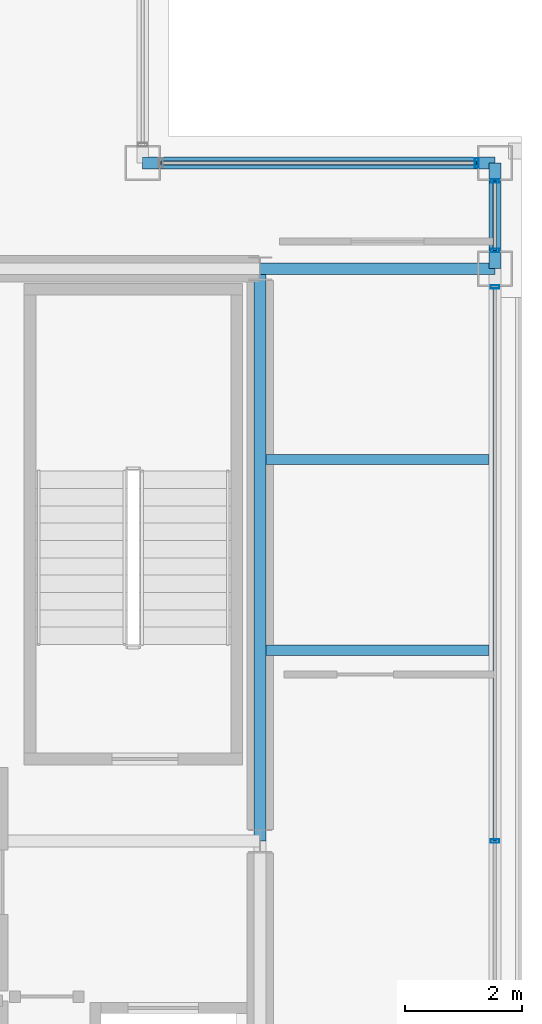
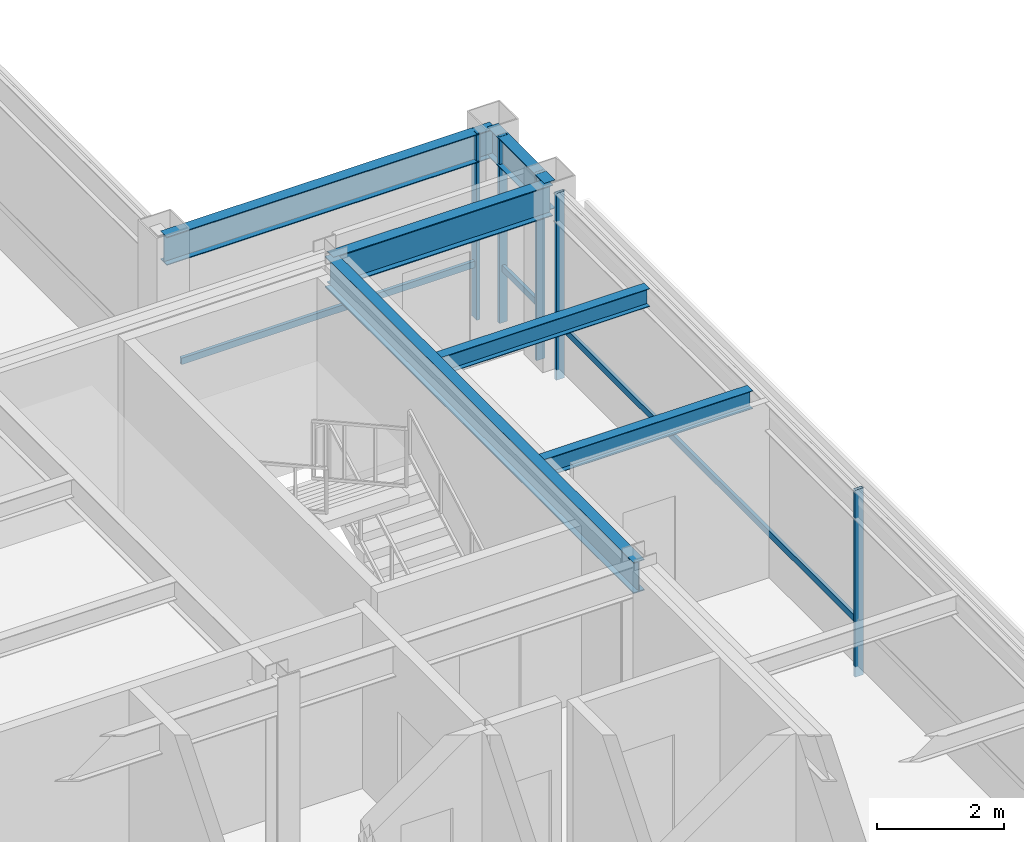
# One storey, part 13 of 22: 8 members, 6 beams, 3 elements without a shape of their own.
"""IFC4 building model written with IfcOpenShell, lengths in metres."""

import ifcopenshell
import ifcopenshell.guid

model = None  # the IFC model being written
_history = None  # IfcOwnerHistory: only IFC2X3 demands one
_inside = {}  # id of a spatial element -> (the spatial element, [elements in it])
_under = {}  # id of a project, library or spatial element -> (it, [spatial elements below it])
_declared = {}  # id of a project -> (the project, [libraries it declares])
_typed = {}  # id of a type object -> (the type object, [elements of that type])
_made_of = {}  # id of a material, layer set ... -> (it, [elements and type objects made of it])


def new_model(schema):
    """Start an empty IFC model of exactly this schema.

    Asked for "IFC4X3", IfcOpenShell would pick the latest addendum, in which some entities
    have other attributes; the version numbers below select the first issue.
    IFC2X3 requires an IfcOwnerHistory on every rooted entity: one is made here for all.
    """
    global model, _history
    if schema == "IFC4X3":
        model = ifcopenshell.file(schema_version=(4, 3, 0, 0))
    else:
        model = ifcopenshell.file(schema=schema)
    _inside.clear()
    _under.clear()
    _declared.clear()
    _typed.clear()
    _made_of.clear()
    _history = None
    if model.schema == "IFC2X3":
        org = make("IfcOrganization", Name="unknown")
        user = make(
            "IfcPersonAndOrganization",
            ThePerson=make("IfcPerson", FamilyName="unknown"),
            TheOrganization=org,
        )
        app = make(
            "IfcApplication",
            ApplicationDeveloper=org,
            Version="unknown",
            ApplicationFullName="unknown",
            ApplicationIdentifier="unknown",
        )
        _history = make(
            "IfcOwnerHistory",
            OwningUser=user,
            OwningApplication=app,
            ChangeAction="ADDED",
            CreationDate=0,
        )
    return model


def make(cls, **values):
    """One entity of the class cls with the attributes given. An attribute that is None is left unset."""
    return model.create_entity(
        cls, **{name: value for name, value in values.items() if value is not None}
    )


def rooted(cls, **values):
    """An entity with a GlobalId (a new one), such as an element, a storey or a relation."""
    return make(cls, GlobalId=ifcopenshell.guid.new(), OwnerHistory=_history, **values)


def si_unit(unit_type, name, prefix=None):
    """IfcSIUnit, for example si_unit("LENGTHUNIT", "METRE", prefix="MILLI")."""
    return make("IfcSIUnit", UnitType=unit_type, Prefix=prefix, Name=name)


def assignment(units):
    """IfcUnitAssignment: the units of a project."""
    return None if units is None else make("IfcUnitAssignment", Units=units)


def point(xyz):
    """IfcCartesianPoint."""
    return None if xyz is None else make("IfcCartesianPoint", Coordinates=xyz)


def direction(xyz):
    """IfcDirection."""
    return None if xyz is None else make("IfcDirection", DirectionRatios=xyz)


def frame(location, z_axis=None, x_axis=None):
    """IfcAxis2Placement3D, a coordinate frame: its origin and axes. An axis left out is left unset."""
    return make(
        "IfcAxis2Placement3D",
        Location=point(location),
        Axis=direction(z_axis),
        RefDirection=direction(x_axis),
    )


def frame_2d(location, x_axis=None):
    """IfcAxis2Placement2D, a coordinate frame in the plane: its origin and x axis."""
    return make(
        "IfcAxis2Placement2D", Location=point(location), RefDirection=direction(x_axis)
    )


def origin():
    """The frame at (0, 0, 0) with its axes left unset."""
    return frame((0.0, 0.0, 0.0))


def origin_2d():
    """The frame at (0, 0) in the plane with its x axis left unset."""
    return frame_2d((0.0, 0.0))


def place(relative_to, where):
    """IfcLocalPlacement: puts the frame where relative to a parent placement (None: the world)."""
    return make(
        "IfcLocalPlacement", PlacementRelTo=relative_to, RelativePlacement=where
    )


def context(
    kind, dimensions, precision=None, world=None, true_north=None, identifier=None
):
    """IfcGeometricRepresentationContext, for example the 3D "Model" context."""
    return make(
        "IfcGeometricRepresentationContext",
        ContextIdentifier=identifier,
        ContextType=kind,
        CoordinateSpaceDimension=dimensions,
        Precision=precision,
        WorldCoordinateSystem=world,
        TrueNorth=true_north,
    )


def subcontext(parent, identifier, kind, view, scale=None):
    """IfcGeometricRepresentationSubContext, for example "Body" below "Model"."""
    return make(
        "IfcGeometricRepresentationSubContext",
        ContextIdentifier=identifier,
        ContextType=kind,
        ParentContext=parent,
        TargetScale=scale,
        TargetView=view,
    )


def project(units=None, contexts=None):
    """IfcProject with its units and contexts."""
    return rooted(
        "IfcProject",
        Name="project",
        RepresentationContexts=contexts,
        UnitsInContext=assignment(units),
    )


def spatial(cls, under=None, at=None, **own):
    """A site, building, storey or space (cls), placed at a placement, below another one or the project."""
    s = rooted(cls, ObjectPlacement=at, **own)
    if under is not None:
        _under.setdefault(under.id(), (under, []))[1].append(s)
    return s


def profile(cls, at=None, kind="AREA", **sizes):
    """A parametric profile (cls). Its sizes go by their IFC names, for example OverallWidth=200.0."""
    return make(cls, ProfileType=kind, Position=at, **sizes)


def hollow_rectangle(**sizes):
    """IfcRectangleHollowProfileDef."""
    return profile("IfcRectangleHollowProfileDef", **sizes)


def i_section(**sizes):
    """IfcIShapeProfileDef."""
    return profile("IfcIShapeProfileDef", **sizes)


def extrude(swept, where, along, depth):
    """IfcExtrudedAreaSolid: the profile swept, set in the frame where, extruded along a direction by depth."""
    return make(
        "IfcExtrudedAreaSolid",
        SweptArea=swept,
        Position=where,
        ExtrudedDirection=direction(along),
        Depth=depth,
    )


def shape(context_of_items, identifier, shape_type, items):
    """IfcShapeRepresentation: the items that make up one representation, for example the "Body"."""
    return make(
        "IfcShapeRepresentation",
        ContextOfItems=context_of_items,
        RepresentationIdentifier=identifier,
        RepresentationType=shape_type,
        Items=items,
    )


def material(Name=None, Category=None):
    """IfcMaterial."""
    return make("IfcMaterial", Name=Name, Category=Category)


def layer(
    of_material, thickness, ventilated=None, Name=None, Category=None, Priority=None
):
    """IfcMaterialLayer: one layer of a wall or slab, of a material (None: an air gap)."""
    return make(
        "IfcMaterialLayer",
        Material=of_material,
        LayerThickness=thickness,
        IsVentilated=ventilated,
        Name=Name,
        Category=Category,
        Priority=Priority,
    )


def layer_set(layers, Name=None):
    """IfcMaterialLayerSet."""
    return make("IfcMaterialLayerSet", MaterialLayers=layers, LayerSetName=Name)


def material_profile(
    of_material, cross_section, Name=None, Category=None, Priority=None
):
    """IfcMaterialProfile: a cross section and its material."""
    return make(
        "IfcMaterialProfile",
        Name=Name,
        Material=of_material,
        Profile=cross_section,
        Priority=Priority,
        Category=Category,
    )


def profile_set(profiles, Name=None, composite=None):
    """IfcMaterialProfileSet."""
    return make(
        "IfcMaterialProfileSet",
        Name=Name,
        MaterialProfiles=profiles,
        CompositeProfile=composite,
    )


def made_of(thing, what):
    """Note that an element or type object is made of a material, layer set ...; save() writes the relation."""
    if what is not None:
        _made_of.setdefault(what.id(), (what, []))[1].append(thing)
    return thing


def type_object(cls, material=None, **own):
    """A type object (cls), such as IfcWallType, which elements share."""
    return made_of(rooted(cls, **own), material)


def element(
    cls,
    number,
    at=None,
    inside=None,
    cuts=None,
    type_object=None,
    material=None,
    context=None,
    identifier="Body",
    shape_type=None,
    held_by="IfcProductDefinitionShape",
    body=None,
    shapes=None,
    **own,
):
    """One element of the class cls, such as IfcWall. Its Tag is "e" and its number.

    at: its placement. inside: the storey or other place that contains it. cuts: it is an
    opening in that element (IfcRelVoidsElement). A single representation is given by context,
    identifier, shape_type and body (its items); several are given by shapes. held_by: the class
    of the entity that holds the representations. save() writes the other relations.
    """
    e = rooted(cls, Tag="e%d" % number, ObjectPlacement=at, **own)
    if body is not None:
        shapes = [shape(context, identifier, shape_type, body)]
    if shapes is not None:
        e.Representation = make(held_by, Representations=shapes)
    if inside is not None:
        _inside.setdefault(inside.id(), (inside, []))[1].append(e)
    if cuts is not None:
        rooted(
            "IfcRelVoidsElement", RelatingBuildingElement=cuts, RelatedOpeningElement=e
        )
    if type_object is not None:
        _typed.setdefault(type_object.id(), (type_object, []))[1].append(e)
    return made_of(e, material)


def aggregate(whole, parts):
    """IfcRelAggregates: a whole, such as a stair, and the parts it consists of."""
    return rooted("IfcRelAggregates", RelatingObject=whole, RelatedObjects=parts)


def save(model, path):
    """Write the relations noted so far, then the file.

    IfcRelAggregates (storeys below a building ...), IfcRelContainedInSpatialStructure (elements
    in a storey), IfcRelDefinesByType, IfcRelAssociatesMaterial and IfcRelDeclares: one each for
    every whole, place, type object, material and project.
    """
    for whole, parts in _under.values():
        aggregate(whole, parts)
    for where, things in _inside.values():
        rooted(
            "IfcRelContainedInSpatialStructure",
            RelatedElements=things,
            RelatingStructure=where,
        )
    for kind, things in _typed.values():
        rooted("IfcRelDefinesByType", RelatedObjects=things, RelatingType=kind)
    for what, things in _made_of.values():
        rooted("IfcRelAssociatesMaterial", RelatedObjects=things, RelatingMaterial=what)
    for by, libraries in _declared.values():
        rooted("IfcRelDeclares", RelatingContext=by, RelatedDefinitions=libraries)
    model.write(path)


model = new_model("IFC4")

# Units and contexts
model_context = context("Model", 3, precision=1e-05, world=origin(), true_north=direction((0.0, 1.0)))
body_context = subcontext(model_context, "Body", "Model", "MODEL_VIEW")
ifc_project = project(units=[si_unit("LENGTHUNIT", "METRE"), si_unit("AREAUNIT", "SQUARE_METRE"), si_unit("VOLUMEUNIT", "CUBIC_METRE"), si_unit("PLANEANGLEUNIT", "RADIAN"), si_unit("MASSUNIT", "GRAM", prefix="KILO")], contexts=[model_context])

# Site, building, storey
site_placement = place(None, origin())
site = spatial("IfcSite", under=ifc_project, at=site_placement, CompositionType="ELEMENT")
building_placement = place(site_placement, origin())
building = spatial("IfcBuilding", under=site, at=building_placement, Name="Brelmoor Portico Tower", CompositionType="ELEMENT")
storey_placement = place(building_placement, frame((0.0, 0.0, 280.800048828125)))
storey = spatial("IfcBuildingStorey", under=building, at=storey_placement, Name="L74", CompositionType="ELEMENT", Elevation=280.800048828125)

# Beams
ifc_material_1 = material(Name="Steel Q355B", Category="steel")
ifc_material_profile_1 = material_profile(ifc_material_1, i_section(OverallWidth=0.175048828125, OverallDepth=0.35009765625, WebThickness=0.007080078125, FlangeThickness=0.010986328125, at=origin_2d()), Name="HN 350x175x7x11")
ifc_profile_set_1 = profile_set([ifc_material_profile_1], Name="Steel Q355B")
beam_type_1 = type_object("IfcBeamType", Name="BM-JS-350", PredefinedType="JOIST", material=ifc_profile_set_1)
for number, where, z_axis, x_axis, name in (
    (1, (14.64990234375, 3.25, 3.224853515625), (1.0, 0.0, 0.0), (0.0, 1.0, 0.0), "L74 Secondary Wing Joist JS-E13"),
    (2, (14.64990234375, 6.5, 3.224853515625), (1.0, 0.0, 0.0), (0.0, 1.0, 0.0), "L74 Secondary Wing Joist JS-E14"),
):
    element("IfcBeam", number, at=place(storey_placement, frame(where, z_axis=z_axis, x_axis=x_axis)), inside=storey, type_object=beam_type_1, Name=name, PredefinedType="JOIST", context=body_context, shape_type="SweptSolid", body=[
        extrude(i_section(OverallWidth=0.175048828125, OverallDepth=0.35009765625, WebThickness=0.007080078125, FlangeThickness=0.010986328125, at=origin_2d()), origin(), (0.0, 0.0, 1.0), 3.800048828125),
    ])
ifc_material_profile_2 = material_profile(ifc_material_1, i_section(OverallWidth=0.199951171875, OverallDepth=0.60009765625, WebThickness=0.010986328125, FlangeThickness=0.01708984375, at=origin_2d()), Name="HN 600x200x11x17")
ifc_profile_set_2 = profile_set([ifc_material_profile_2], Name="Steel Q355B")
beam_type_2 = type_object("IfcBeamType", Name="BM-PG-600", PredefinedType="BEAM", material=ifc_profile_set_2)
beam_1_placement = place(storey_placement, frame((14.550048828125, 0.0, 3.099853515625), z_axis=(0.0, 1.0, 0.0), x_axis=(-1.0, 0.0, 0.0)))
element("IfcBeam", 3, at=beam_1_placement, inside=storey, type_object=beam_type_2, Name="L74 Primary Floor Girder PG-10", PredefinedType="BEAM", context=body_context, shape_type="SweptSolid", body=[
    extrude(i_section(OverallWidth=0.199951171875, OverallDepth=0.60009765625, WebThickness=0.010986328125, FlangeThickness=0.01708984375, at=origin_2d()), origin(), (0.0, 0.0, 1.0), 9.75),
])
beam_2_placement = place(storey_placement, frame((14.550048828125, 9.75, 3.099853515625), z_axis=(1.0, 0.0, 0.0), x_axis=(0.0, 1.0, 0.0)))
element("IfcBeam", 4, at=beam_2_placement, inside=storey, type_object=beam_type_2, Name="L74 Primary Floor Girder PG-23", PredefinedType="BEAM", context=body_context, shape_type="SweptSolid", body=[
    extrude(i_section(OverallWidth=0.199951171875, OverallDepth=0.60009765625, WebThickness=0.010986328125, FlangeThickness=0.01708984375, at=origin_2d()), origin(), (0.0, 0.0, 1.0), 4.0),
])
ifc_material_profile_3 = material_profile(ifc_material_1, i_section(OverallWidth=0.199951171875, OverallDepth=0.550048828125, WebThickness=0.010009765625, FlangeThickness=0.01611328125, at=origin_2d()), Name="HN 550x200x10x16")
ifc_profile_set_3 = profile_set([ifc_material_profile_3], Name="Steel Q355B")
beam_type_3 = type_object("IfcBeamType", Name="BM-SP-550", PredefinedType="SPANDREL", material=ifc_profile_set_3)
beam_3_placement = place(storey_placement, frame((12.550048828125, 11.550048828125, 3.125), z_axis=(1.0, 0.0, 0.0), x_axis=(0.0, 1.0, 0.0)))
element("IfcBeam", 5, at=beam_3_placement, inside=storey, type_object=beam_type_3, Name="L74 Perimeter Spandrel Beam SP-07", PredefinedType="SPANDREL", context=body_context, shape_type="SweptSolid", body=[
    extrude(i_section(OverallWidth=0.199951171875, OverallDepth=0.550048828125, WebThickness=0.010009765625, FlangeThickness=0.01611328125, at=origin_2d()), origin(), (0.0, 0.0, 1.0), 6.0),
])
beam_4_placement = place(storey_placement, frame((18.550048828125, 9.75, 3.125), z_axis=(0.0, 1.0, 0.0), x_axis=(-1.0, 0.0, 0.0)))
element("IfcBeam", 6, at=beam_4_placement, inside=storey, type_object=beam_type_3, Name="L74 Perimeter Spandrel Beam SP-20", PredefinedType="SPANDREL", context=body_context, shape_type="SweptSolid", body=[
    extrude(i_section(OverallWidth=0.199951171875, OverallDepth=0.550048828125, WebThickness=0.010009765625, FlangeThickness=0.01611328125, at=origin_2d()), origin(), (0.0, 0.0, 1.0), 1.800048828125),
])

# Curtain wall, members
ifc_material_2 = material(Name="Anodised Aluminium Alloy 6063-T6", Category="aluminium")
ifc_layer_1 = layer(ifc_material_2, 0.179931640625)
ifc_layer_set_1 = layer_set([ifc_layer_1], Name="Anodised Aluminium Alloy 6063-T6")
curtain_wall_type_1 = type_object("IfcCurtainWallType", Name="CW-TOWER-Z4", PredefinedType="NOTDEFINED", material=ifc_layer_set_1)
curtain_wall_1_placement = place(storey_placement, origin())
curtain_wall_1 = element("IfcCurtainWall", 7, at=curtain_wall_1_placement, inside=storey, type_object=curtain_wall_type_1, Name="L74 Curtain Wall CW-L74-04-2", PredefinedType="NOTDEFINED")
ifc_material_profile_4 = material_profile(ifc_material_2, hollow_rectangle(XDim=0.06005859375, YDim=0.14990234375, WallThickness=0.00390625, at=origin_2d()), Name="ALU MULLION 60x150")
ifc_profile_set_4 = profile_set([ifc_material_profile_4], Name="Anodised Aluminium Alloy 6063-T6")
member_type_1 = type_object("IfcMemberType", Name="MB-CW-MULL-150", PredefinedType="MULLION", material=ifc_profile_set_4)
member_1_placement = place(storey_placement, frame((18.550048828125, 0.0, -0.199951171875), z_axis=(0.0, 0.0, 1.0), x_axis=(0.0, 1.0, 0.0)))
member_1 = element("IfcMember", 8, at=member_1_placement, type_object=member_type_1, Name="CW-L74-04-2 Mullion 01", PredefinedType="MULLION", context=body_context, shape_type="SweptSolid", body=[
    extrude(hollow_rectangle(XDim=0.06005859375, YDim=0.14990234375, WallThickness=0.00390625, at=origin_2d()), origin(), (0.0, 0.0, 1.0), 3.599853515625),
])
member_2_placement = place(storey_placement, frame((18.550048828125, 9.43994140625, -0.199951171875), z_axis=(0.0, 0.0, 1.0), x_axis=(0.0, 1.0, 0.0)))
member_2 = element("IfcMember", 9, at=member_2_placement, type_object=member_type_1, Name="CW-L74-04-2 Mullion 02", PredefinedType="MULLION", context=body_context, shape_type="SweptSolid", body=[
    extrude(hollow_rectangle(XDim=0.06005859375, YDim=0.14990234375, WallThickness=0.00390625, at=origin_2d()), origin(), (0.0, 0.0, 1.0), 3.599853515625),
])

curtain_wall_2_placement = place(storey_placement, origin())
curtain_wall_2 = element("IfcCurtainWall", 10, at=curtain_wall_2_placement, inside=storey, type_object=curtain_wall_type_1, Name="L74 Curtain Wall CW-L74-04-3", PredefinedType="NOTDEFINED")
member_3_placement = place(storey_placement, frame((18.550048828125, 10.06005859375, -0.199951171875), z_axis=(0.0, 0.0, 1.0), x_axis=(0.0, 1.0, 0.0)))
member_3 = element("IfcMember", 11, at=member_3_placement, type_object=member_type_1, Name="CW-L74-04-3 Mullion 00", PredefinedType="MULLION", context=body_context, shape_type="SweptSolid", body=[
    extrude(hollow_rectangle(XDim=0.06005859375, YDim=0.14990234375, WallThickness=0.00390625, at=origin_2d()), origin(), (0.0, 0.0, 1.0), 3.599853515625),
])
member_4_placement = place(storey_placement, frame((18.550048828125, 11.239990234375, -0.199951171875), z_axis=(0.0, 0.0, 1.0), x_axis=(0.0, 1.0, 0.0)))
member_4 = element("IfcMember", 12, at=member_4_placement, type_object=member_type_1, Name="CW-L74-04-3 Mullion 01", PredefinedType="MULLION", context=body_context, shape_type="SweptSolid", body=[
    extrude(hollow_rectangle(XDim=0.06005859375, YDim=0.14990234375, WallThickness=0.00390625, at=origin_2d()), origin(), (0.0, 0.0, 1.0), 3.599853515625),
])

# Curtain wall, member
ifc_layer_2 = layer(ifc_material_2, 0.179931640625)
ifc_layer_set_2 = layer_set([ifc_layer_2], Name="Anodised Aluminium Alloy 6063-T6")
curtain_wall_type_2 = type_object("IfcCurtainWallType", Name="CW-NOTCH-CHAMFER", PredefinedType="NOTDEFINED", material=ifc_layer_set_2)
curtain_wall_3_placement = place(storey_placement, origin())
curtain_wall_3 = element("IfcCurtainWall", 13, at=curtain_wall_3_placement, inside=storey, type_object=curtain_wall_type_2, Name="L74 Curtain Wall CWN-L74-NEH", PredefinedType="NOTDEFINED")
ifc_material_profile_5 = material_profile(ifc_material_2, hollow_rectangle(XDim=0.06494140625, YDim=0.1650390625, WallThickness=0.00390625, at=origin_2d()), Name="ALU MULLION 65x165")
ifc_profile_set_5 = profile_set([ifc_material_profile_5], Name="Anodised Aluminium Alloy 6063-T6")
member_type_2 = type_object("IfcMemberType", Name="MB-CW-MULL-165", PredefinedType="MULLION", material=ifc_profile_set_5)
member_5_placement = place(storey_placement, frame((18.239990234375, 11.550048828125, -0.199951171875), z_axis=(0.0, 0.0, 1.0), x_axis=(1.0, 0.0, 0.0)))
member_5 = element("IfcMember", 14, at=member_5_placement, type_object=member_type_2, Name="CWN-L74-NEH Mullion 01", PredefinedType="MULLION", context=body_context, shape_type="SweptSolid", body=[
    extrude(hollow_rectangle(XDim=0.06494140625, YDim=0.1650390625, WallThickness=0.00390625, at=origin_2d()), origin(), (0.0, 0.0, 1.0), 3.599853515625),
])

# Member
ifc_material_profile_6 = material_profile(ifc_material_2, hollow_rectangle(XDim=0.06005859375, YDim=0.125, WallThickness=0.00341796875, at=origin_2d()), Name="ALU TRANSOM 60x125")
ifc_profile_set_6 = profile_set([ifc_material_profile_6], Name="Anodised Aluminium Alloy 6063-T6")
member_type_3 = type_object("IfcMemberType", Name="MB-CW-TRAN-125", PredefinedType="USERDEFINED", material=ifc_profile_set_6)
member_6_placement = place(storey_placement, frame((18.550048828125, 0.0, 0.849853515625), z_axis=(0.0, 1.0, 0.0), x_axis=(-1.0, 0.0, 0.0)))
member_6 = element("IfcMember", 15, at=member_6_placement, type_object=member_type_3, Name="CW-L74-04-2 Transom 1-01", ObjectType="TRANSOM", PredefinedType="USERDEFINED", context=body_context, shape_type="SweptSolid", body=[
    extrude(hollow_rectangle(XDim=0.06005859375, YDim=0.125, WallThickness=0.00341796875, at=origin_2d()), origin(), (0.0, 0.0, 1.0), 9.43994140625),
])

aggregate(curtain_wall_1, [member_1, member_2, member_6])

member_7_placement = place(storey_placement, frame((18.550048828125, 10.06005859375, 0.849853515625), z_axis=(0.0, 1.0, 0.0), x_axis=(-1.0, 0.0, 0.0)))
member_7 = element("IfcMember", 16, at=member_7_placement, type_object=member_type_3, Name="CW-L74-04-3 Transom 1-00", ObjectType="TRANSOM", PredefinedType="USERDEFINED", context=body_context, shape_type="SweptSolid", body=[
    extrude(hollow_rectangle(XDim=0.06005859375, YDim=0.125, WallThickness=0.00341796875, at=origin_2d()), origin(), (0.0, 0.0, 1.0), 1.179931640625),
])

aggregate(curtain_wall_2, [member_3, member_4, member_7])

member_8_placement = place(storey_placement, frame((12.860107421875, 11.550048828125, 0.849853515625), z_axis=(1.0, 0.0, 0.0), x_axis=(0.0, 1.0, 0.0)))
member_8 = element("IfcMember", 17, at=member_8_placement, type_object=member_type_3, Name="CWN-L74-NEH Transom 1-00", ObjectType="TRANSOM", PredefinedType="USERDEFINED", context=body_context, shape_type="SweptSolid", body=[
    extrude(hollow_rectangle(XDim=0.06005859375, YDim=0.125, WallThickness=0.00341796875, at=origin_2d()), origin(), (0.0, 0.0, 1.0), 5.3798828125),
])

aggregate(curtain_wall_3, [member_5, member_8])

save(model, "model.ifc")
